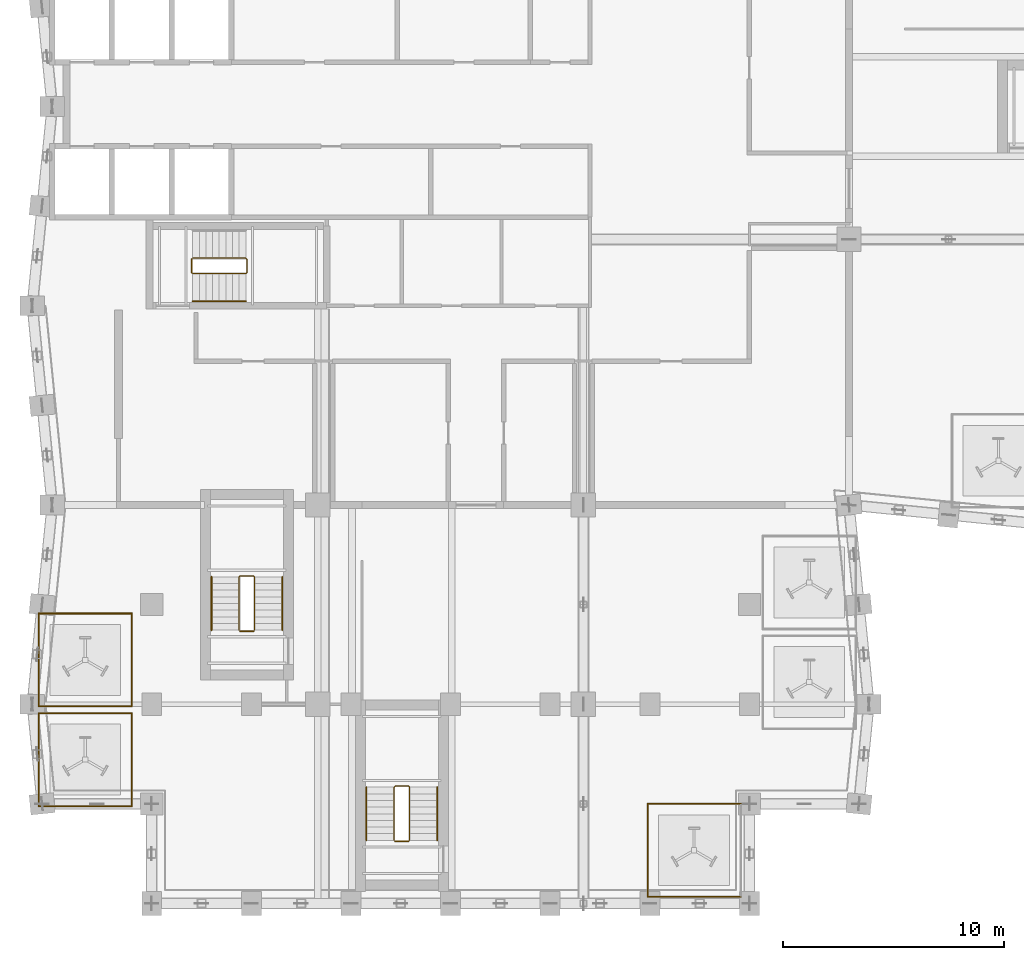
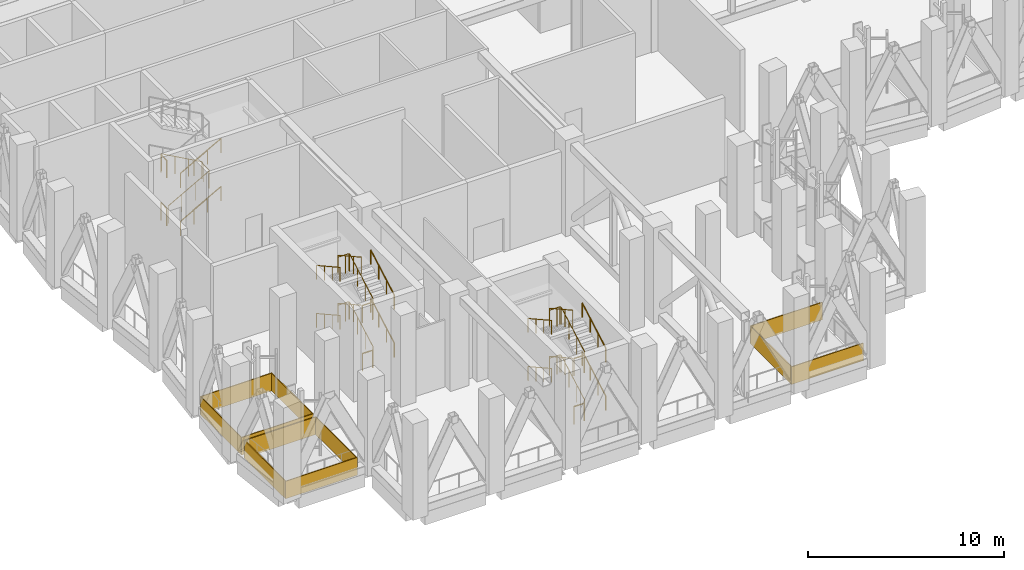
# One storey, part 23 of 28: 32 railings.
"""IFC4 building model written with IfcOpenShell, lengths in metres."""

from ifc_helpers import new_model, si_unit, direction, frame, origin, origin_2d, place, context, subcontext, project, spatial, rectangle, circle, extrude, material, type_object, element, save


model = new_model("IFC4")

# Units and contexts
model_context = context("Model", 3, precision=1e-05, world=origin(), true_north=direction((0.0, 1.0)))
body_context = subcontext(model_context, "Body", "Model", "MODEL_VIEW")
ifc_project = project(units=[si_unit("LENGTHUNIT", "METRE"), si_unit("AREAUNIT", "SQUARE_METRE"), si_unit("VOLUMEUNIT", "CUBIC_METRE"), si_unit("PLANEANGLEUNIT", "RADIAN"), si_unit("MASSUNIT", "GRAM", prefix="KILO")], contexts=[model_context])

# Site, building, storey
site_placement = place(None, origin())
site = spatial("IfcSite", under=ifc_project, at=site_placement, CompositionType="ELEMENT")
building_placement = place(site_placement, origin())
building = spatial("IfcBuilding", under=site, at=building_placement, Name="Brondeck Convention Tower", CompositionType="ELEMENT")
storey_placement = place(building_placement, frame((0.0, 0.0, 192.800048828125)))
storey = spatial("IfcBuildingStorey", under=building, at=storey_placement, Name="L47", CompositionType="ELEMENT", Elevation=192.800048828125)

# Railings
ifc_material_1 = material(Name="Steel S355", Category="steel")
railing_type_1 = type_object("IfcRailingType", Name="Stair guard 1100", PredefinedType="GUARDRAIL", material=ifc_material_1)
railing_1_placement = place(storey_placement, frame((6.35009765625, 37.449951171875, 0.16650390625)))
element("IfcRailing", 1, at=railing_1_placement, inside=storey, type_object=railing_type_1, Name="L47 ST-1 stair guard 1", PredefinedType="GUARDRAIL", context=body_context, shape_type="SweptSolid", body=[
    extrude(circle(Radius=0.02392578125, at=origin_2d()), frame((0.0, 0.0, 1.076171875), z_axis=(0.874123717778, 0.0, 0.485703331282), x_axis=(0.0, 1.0, 0.0)), (0.0, 0.0, 1.0), 2.74560546875),
    extrude(circle(Radius=0.02392578125, at=origin_2d()), frame((2.39990234375, 0.0, 2.40966796875), z_axis=(0.707106781187, 0.707106781187, 0.0), x_axis=(-0.707106781187, 0.707106781187, 0.0)), (0.0, 0.0, 1.0), 0.07080078125),
    extrude(circle(Radius=0.02392578125, at=origin_2d()), frame((2.449951171875, 0.050048828125, 2.40966796875), z_axis=(0.0, 1.0, 0.0), x_axis=(-1.0, 0.0, 0.0)), (0.0, 0.0, 1.0), 0.60009765625),
    extrude(circle(Radius=0.02392578125, at=origin_2d()), frame((2.449951171875, 0.650146484375, 2.40966796875), z_axis=(-0.276732813696, 0.275382897532, 0.920642824102), x_axis=(-0.705375805398, -0.708833529934, 0.0)), (0.0, 0.0, 1.0), 0.180908203125),
    extrude(circle(Radius=0.02392578125, at=origin_2d()), frame((2.39990234375, 0.699951171875, 2.576171875), z_axis=(-0.874123717778, 0.0, 0.485703331282), x_axis=(0.0, -1.0, 0.0)), (0.0, 0.0, 1.0), 2.74560546875),
    extrude(circle(Radius=0.02099609375, at=origin_2d()), origin(), (0.0, 0.0, 1.0), 1.052001953125),
    extrude(circle(Radius=0.02099609375, at=origin_2d()), frame((0.800048828125, 0.0, 0.444580078125)), (0.0, 0.0, 1.0), 1.052001953125),
    extrude(circle(Radius=0.02099609375, at=origin_2d()), frame((1.599853515625, 0.0, 0.888916015625)), (0.0, 0.0, 1.0), 1.052001953125),
    extrude(circle(Radius=0.02099609375, at=origin_2d()), frame((2.39990234375, 0.0, 1.33349609375)), (0.0, 0.0, 1.0), 1.052001953125),
    extrude(circle(Radius=0.02099609375, at=origin_2d()), frame((2.449951171875, 0.050048828125, 1.33349609375)), (0.0, 0.0, 1.0), 1.052001953125),
    extrude(circle(Radius=0.02099609375, at=origin_2d()), frame((2.449951171875, 0.650146484375, 1.33349609375)), (0.0, 0.0, 1.0), 1.052001953125),
    extrude(circle(Radius=0.02099609375, at=origin_2d()), frame((2.39990234375, 0.699951171875, 1.5)), (0.0, 0.0, 1.0), 1.052001953125),
    extrude(circle(Radius=0.02099609375, at=origin_2d()), frame((1.599853515625, 0.699951171875, 1.944580078125)), (0.0, 0.0, 1.0), 1.052001953125),
    extrude(circle(Radius=0.02099609375, at=origin_2d()), frame((0.800048828125, 0.699951171875, 2.388916015625)), (0.0, 0.0, 1.0), 1.052001953125),
    extrude(circle(Radius=0.02099609375, at=origin_2d()), frame((0.0, 0.699951171875, 2.83349609375)), (0.0, 0.0, 1.0), 1.052001953125),
])
for number, where, name in (
    (2, (6.300048828125, 37.5, 3.0), "L47 ST-1 stair guard 2"),
    (3, (6.300048828125, 37.5, 0.0), "L47 ST-1 stair guard 4"),
):
    element("IfcRailing", number, at=place(storey_placement, frame(where)), inside=storey, type_object=railing_type_1, Name=name, PredefinedType="GUARDRAIL", context=body_context, shape_type="SweptSolid", body=[
        extrude(circle(Radius=0.02392578125, at=origin_2d()), frame((0.0, 0.0, 1.076171875), z_axis=(0.0, 1.0, 0.0), x_axis=(-1.0, 0.0, 0.0)), (0.0, 0.0, 1.0), 0.60009765625),
        extrude(circle(Radius=0.02099609375, at=origin_2d()), origin(), (0.0, 0.0, 1.0), 1.052001953125),
        extrude(circle(Radius=0.02099609375, at=origin_2d()), frame((0.0, 0.60009765625, 0.0)), (0.0, 0.0, 1.0), 1.052001953125),
    ])
railing_2_placement = place(storey_placement, frame((9.14990234375, 21.35009765625, 0.16650390625)))
element("IfcRailing", 4, at=railing_2_placement, inside=storey, type_object=railing_type_1, Name="L47 ST-BE stair guard 1", PredefinedType="GUARDRAIL", context=body_context, shape_type="SweptSolid", body=[
    extrude(circle(Radius=0.02392578125, at=origin_2d()), frame((0.0, 0.0, 1.076171875), z_axis=(0.0, 0.874123717778, 0.485703331282), x_axis=(-1.0, 0.0, 0.0)), (0.0, 0.0, 1.0), 2.74560546875),
    extrude(circle(Radius=0.02392578125, at=origin_2d()), frame((0.0, 2.39990234375, 2.40966796875), z_axis=(-0.705375805398, 0.708833529934, 0.0), x_axis=(-0.708833529934, -0.705375805398, 0.0)), (0.0, 0.0, 1.0), 0.070556640625),
    extrude(circle(Radius=0.02392578125, at=origin_2d()), frame((-0.0498046875, 2.449951171875, 2.40966796875), z_axis=(-1.0, 0.0, 0.0), x_axis=(0.0, -1.0, 0.0)), (0.0, 0.0, 1.0), 0.60009765625),
    extrude(circle(Radius=0.02392578125, at=origin_2d()), frame((-0.64990234375, 2.449951171875, 2.40966796875), z_axis=(-0.27662974545, -0.27662974545, 0.920299933644), x_axis=(0.707106781187, -0.707106781187, 0.0)), (0.0, 0.0, 1.0), 0.180908203125),
    extrude(circle(Radius=0.02392578125, at=origin_2d()), frame((-0.699951171875, 2.39990234375, 2.576171875), z_axis=(0.0, -0.874123717778, 0.485703331282), x_axis=(1.0, 0.0, 0.0)), (0.0, 0.0, 1.0), 2.74560546875),
    extrude(circle(Radius=0.02099609375, at=origin_2d()), origin(), (0.0, 0.0, 1.0), 1.052001953125),
    extrude(circle(Radius=0.02099609375, at=origin_2d()), frame((0.0, 0.800048828125, 0.444580078125)), (0.0, 0.0, 1.0), 1.052001953125),
    extrude(circle(Radius=0.02099609375, at=origin_2d()), frame((0.0, 1.599853515625, 0.888916015625)), (0.0, 0.0, 1.0), 1.052001953125),
    extrude(circle(Radius=0.02099609375, at=origin_2d()), frame((0.0, 2.39990234375, 1.33349609375)), (0.0, 0.0, 1.0), 1.052001953125),
    extrude(circle(Radius=0.02099609375, at=origin_2d()), frame((-0.0498046875, 2.449951171875, 1.33349609375)), (0.0, 0.0, 1.0), 1.052001953125),
    extrude(circle(Radius=0.02099609375, at=origin_2d()), frame((-0.64990234375, 2.449951171875, 1.33349609375)), (0.0, 0.0, 1.0), 1.052001953125),
    extrude(circle(Radius=0.02099609375, at=origin_2d()), frame((-0.699951171875, 2.39990234375, 1.5)), (0.0, 0.0, 1.0), 1.052001953125),
    extrude(circle(Radius=0.02099609375, at=origin_2d()), frame((-0.699951171875, 1.599853515625, 1.944580078125)), (0.0, 0.0, 1.0), 1.052001953125),
    extrude(circle(Radius=0.02099609375, at=origin_2d()), frame((-0.699951171875, 0.800048828125, 2.388916015625)), (0.0, 0.0, 1.0), 1.052001953125),
    extrude(circle(Radius=0.02099609375, at=origin_2d()), frame((-0.699951171875, 0.0, 2.83349609375)), (0.0, 0.0, 1.0), 1.052001953125),
])
railing_3_placement = place(storey_placement, frame((9.10009765625, 21.300048828125, 3.0)))
element("IfcRailing", 5, at=railing_3_placement, inside=storey, type_object=railing_type_1, Name="L47 ST-BE stair guard 2", PredefinedType="GUARDRAIL", context=body_context, shape_type="SweptSolid", body=[
    extrude(circle(Radius=0.02392578125, at=origin_2d()), frame((0.0, 0.0, 1.076171875), z_axis=(-1.0, 0.0, 0.0), x_axis=(0.0, -1.0, 0.0)), (0.0, 0.0, 1.0), 0.60009765625),
    extrude(circle(Radius=0.02099609375, at=origin_2d()), origin(), (0.0, 0.0, 1.0), 1.052001953125),
    extrude(circle(Radius=0.02099609375, at=origin_2d()), frame((-0.60009765625, 0.0, 0.0)), (0.0, 0.0, 1.0), 1.052001953125),
])
railing_4_placement = place(storey_placement, frame((9.14990234375, 21.35009765625, 3.16650390625)))
element("IfcRailing", 6, at=railing_4_placement, inside=storey, type_object=railing_type_1, Name="L47 ST-BE stair guard 3", PredefinedType="GUARDRAIL", context=body_context, shape_type="SweptSolid", body=[
    extrude(circle(Radius=0.02392578125, at=origin_2d()), frame((0.0, 0.0, 1.076171875), z_axis=(0.0, 0.874123717778, 0.485703331282), x_axis=(-1.0, 0.0, 0.0)), (0.0, 0.0, 1.0), 2.74560546875),
    extrude(circle(Radius=0.02392578125, at=origin_2d()), frame((0.0, 2.39990234375, 2.40966796875), z_axis=(-0.705375805398, 0.708833529934, 0.0), x_axis=(-0.708833529934, -0.705375805398, 0.0)), (0.0, 0.0, 1.0), 0.070556640625),
    extrude(circle(Radius=0.02392578125, at=origin_2d()), frame((-0.0498046875, 2.449951171875, 2.40966796875), z_axis=(-1.0, 0.0, 0.0), x_axis=(0.0, -1.0, 0.0)), (0.0, 0.0, 1.0), 0.60009765625),
    extrude(circle(Radius=0.02392578125, at=origin_2d()), frame((-0.64990234375, 2.449951171875, 2.40966796875), z_axis=(-0.27662974545, -0.27662974545, 0.920299933644), x_axis=(0.707106781187, -0.707106781187, 0.0)), (0.0, 0.0, 1.0), 0.180908203125),
    extrude(circle(Radius=0.02392578125, at=origin_2d()), frame((-0.699951171875, 2.39990234375, 2.576171875), z_axis=(0.0, -0.874123717778, 0.485703331282), x_axis=(1.0, 0.0, 0.0)), (0.0, 0.0, 1.0), 2.74560546875),
    extrude(circle(Radius=0.02099609375, at=origin_2d()), origin(), (0.0, 0.0, 1.0), 1.052001953125),
    extrude(circle(Radius=0.02099609375, at=origin_2d()), frame((0.0, 0.800048828125, 0.444580078125)), (0.0, 0.0, 1.0), 1.052001953125),
    extrude(circle(Radius=0.02099609375, at=origin_2d()), frame((0.0, 1.599853515625, 0.888916015625)), (0.0, 0.0, 1.0), 1.052001953125),
    extrude(circle(Radius=0.02099609375, at=origin_2d()), frame((0.0, 2.39990234375, 1.33349609375)), (0.0, 0.0, 1.0), 1.052001953125),
    extrude(circle(Radius=0.02099609375, at=origin_2d()), frame((-0.0498046875, 2.449951171875, 1.33349609375)), (0.0, 0.0, 1.0), 1.052001953125),
    extrude(circle(Radius=0.02099609375, at=origin_2d()), frame((-0.64990234375, 2.449951171875, 1.33349609375)), (0.0, 0.0, 1.0), 1.052001953125),
    extrude(circle(Radius=0.02099609375, at=origin_2d()), frame((-0.699951171875, 2.39990234375, 1.5)), (0.0, 0.0, 1.0), 1.052001953125),
    extrude(circle(Radius=0.02099609375, at=origin_2d()), frame((-0.699951171875, 1.599853515625, 1.944580078125)), (0.0, 0.0, 1.0), 1.052001953125),
    extrude(circle(Radius=0.02099609375, at=origin_2d()), frame((-0.699951171875, 0.800048828125, 2.388916015625)), (0.0, 0.0, 1.0), 1.052001953125),
    extrude(circle(Radius=0.02099609375, at=origin_2d()), frame((-0.699951171875, 0.0, 2.83349609375)), (0.0, 0.0, 1.0), 1.052001953125),
])
railing_5_placement = place(storey_placement, frame((9.10009765625, 21.300048828125, 0.0)))
element("IfcRailing", 7, at=railing_5_placement, inside=storey, type_object=railing_type_1, Name="L47 ST-BE stair guard 4", PredefinedType="GUARDRAIL", context=body_context, shape_type="SweptSolid", body=[
    extrude(circle(Radius=0.02392578125, at=origin_2d()), frame((0.0, 0.0, 1.076171875), z_axis=(-1.0, 0.0, 0.0), x_axis=(0.0, -1.0, 0.0)), (0.0, 0.0, 1.0), 0.60009765625),
    extrude(circle(Radius=0.02099609375, at=origin_2d()), origin(), (0.0, 0.0, 1.0), 1.052001953125),
    extrude(circle(Radius=0.02099609375, at=origin_2d()), frame((-0.60009765625, 0.0, 0.0)), (0.0, 0.0, 1.0), 1.052001953125),
])
railing_6_placement = place(storey_placement, frame((16.14990234375, 11.85009765625, 0.16650390625)))
element("IfcRailing", 8, at=railing_6_placement, inside=storey, type_object=railing_type_1, Name="L47 ST-BF stair guard 1", PredefinedType="GUARDRAIL", context=body_context, shape_type="SweptSolid", body=[
    extrude(circle(Radius=0.02392578125, at=origin_2d()), frame((0.0, 0.0, 1.076171875), z_axis=(0.0, 0.874123717778, 0.485703331282), x_axis=(-1.0, 0.0, 0.0)), (0.0, 0.0, 1.0), 2.74560546875),
    extrude(circle(Radius=0.02392578125, at=origin_2d()), frame((0.0, 2.39990234375, 2.40966796875), z_axis=(-0.705375805398, 0.708833529934, 0.0), x_axis=(-0.708833529934, -0.705375805398, 0.0)), (0.0, 0.0, 1.0), 0.070556640625),
    extrude(circle(Radius=0.02392578125, at=origin_2d()), frame((-0.0498046875, 2.449951171875, 2.40966796875), z_axis=(-1.0, 0.0, 0.0), x_axis=(0.0, -1.0, 0.0)), (0.0, 0.0, 1.0), 0.60009765625),
    extrude(circle(Radius=0.02392578125, at=origin_2d()), frame((-0.64990234375, 2.449951171875, 2.40966796875), z_axis=(-0.27662974545, -0.27662974545, 0.920299933644), x_axis=(0.707106781187, -0.707106781187, 0.0)), (0.0, 0.0, 1.0), 0.180908203125),
    extrude(circle(Radius=0.02392578125, at=origin_2d()), frame((-0.699951171875, 2.39990234375, 2.576171875), z_axis=(0.0, -0.874123717778, 0.485703331282), x_axis=(1.0, 0.0, 0.0)), (0.0, 0.0, 1.0), 2.74560546875),
    extrude(circle(Radius=0.02099609375, at=origin_2d()), origin(), (0.0, 0.0, 1.0), 1.052001953125),
    extrude(circle(Radius=0.02099609375, at=origin_2d()), frame((0.0, 0.800048828125, 0.444580078125)), (0.0, 0.0, 1.0), 1.052001953125),
    extrude(circle(Radius=0.02099609375, at=origin_2d()), frame((0.0, 1.599853515625, 0.888916015625)), (0.0, 0.0, 1.0), 1.052001953125),
    extrude(circle(Radius=0.02099609375, at=origin_2d()), frame((0.0, 2.39990234375, 1.33349609375)), (0.0, 0.0, 1.0), 1.052001953125),
    extrude(circle(Radius=0.02099609375, at=origin_2d()), frame((-0.0498046875, 2.449951171875, 1.33349609375)), (0.0, 0.0, 1.0), 1.052001953125),
    extrude(circle(Radius=0.02099609375, at=origin_2d()), frame((-0.64990234375, 2.449951171875, 1.33349609375)), (0.0, 0.0, 1.0), 1.052001953125),
    extrude(circle(Radius=0.02099609375, at=origin_2d()), frame((-0.699951171875, 2.39990234375, 1.5)), (0.0, 0.0, 1.0), 1.052001953125),
    extrude(circle(Radius=0.02099609375, at=origin_2d()), frame((-0.699951171875, 1.599853515625, 1.944580078125)), (0.0, 0.0, 1.0), 1.052001953125),
    extrude(circle(Radius=0.02099609375, at=origin_2d()), frame((-0.699951171875, 0.800048828125, 2.388916015625)), (0.0, 0.0, 1.0), 1.052001953125),
    extrude(circle(Radius=0.02099609375, at=origin_2d()), frame((-0.699951171875, 0.0, 2.83349609375)), (0.0, 0.0, 1.0), 1.052001953125),
])
railing_7_placement = place(storey_placement, frame((16.10009765625, 11.800048828125, 3.0)))
element("IfcRailing", 9, at=railing_7_placement, inside=storey, type_object=railing_type_1, Name="L47 ST-BF stair guard 2", PredefinedType="GUARDRAIL", context=body_context, shape_type="SweptSolid", body=[
    extrude(circle(Radius=0.02392578125, at=origin_2d()), frame((0.0, 0.0, 1.076171875), z_axis=(-1.0, 0.0, 0.0), x_axis=(0.0, -1.0, 0.0)), (0.0, 0.0, 1.0), 0.60009765625),
    extrude(circle(Radius=0.02099609375, at=origin_2d()), origin(), (0.0, 0.0, 1.0), 1.052001953125),
    extrude(circle(Radius=0.02099609375, at=origin_2d()), frame((-0.60009765625, 0.0, 0.0)), (0.0, 0.0, 1.0), 1.052001953125),
])
railing_8_placement = place(storey_placement, frame((16.14990234375, 11.85009765625, 3.16650390625)))
element("IfcRailing", 10, at=railing_8_placement, inside=storey, type_object=railing_type_1, Name="L47 ST-BF stair guard 3", PredefinedType="GUARDRAIL", context=body_context, shape_type="SweptSolid", body=[
    extrude(circle(Radius=0.02392578125, at=origin_2d()), frame((0.0, 0.0, 1.076171875), z_axis=(0.0, 0.874123717778, 0.485703331282), x_axis=(-1.0, 0.0, 0.0)), (0.0, 0.0, 1.0), 2.74560546875),
    extrude(circle(Radius=0.02392578125, at=origin_2d()), frame((0.0, 2.39990234375, 2.40966796875), z_axis=(-0.705375805398, 0.708833529934, 0.0), x_axis=(-0.708833529934, -0.705375805398, 0.0)), (0.0, 0.0, 1.0), 0.070556640625),
    extrude(circle(Radius=0.02392578125, at=origin_2d()), frame((-0.0498046875, 2.449951171875, 2.40966796875), z_axis=(-1.0, 0.0, 0.0), x_axis=(0.0, -1.0, 0.0)), (0.0, 0.0, 1.0), 0.60009765625),
    extrude(circle(Radius=0.02392578125, at=origin_2d()), frame((-0.64990234375, 2.449951171875, 2.40966796875), z_axis=(-0.27662974545, -0.27662974545, 0.920299933644), x_axis=(0.707106781187, -0.707106781187, 0.0)), (0.0, 0.0, 1.0), 0.180908203125),
    extrude(circle(Radius=0.02392578125, at=origin_2d()), frame((-0.699951171875, 2.39990234375, 2.576171875), z_axis=(0.0, -0.874123717778, 0.485703331282), x_axis=(1.0, 0.0, 0.0)), (0.0, 0.0, 1.0), 2.74560546875),
    extrude(circle(Radius=0.02099609375, at=origin_2d()), origin(), (0.0, 0.0, 1.0), 1.052001953125),
    extrude(circle(Radius=0.02099609375, at=origin_2d()), frame((0.0, 0.800048828125, 0.444580078125)), (0.0, 0.0, 1.0), 1.052001953125),
    extrude(circle(Radius=0.02099609375, at=origin_2d()), frame((0.0, 1.599853515625, 0.888916015625)), (0.0, 0.0, 1.0), 1.052001953125),
    extrude(circle(Radius=0.02099609375, at=origin_2d()), frame((0.0, 2.39990234375, 1.33349609375)), (0.0, 0.0, 1.0), 1.052001953125),
    extrude(circle(Radius=0.02099609375, at=origin_2d()), frame((-0.0498046875, 2.449951171875, 1.33349609375)), (0.0, 0.0, 1.0), 1.052001953125),
    extrude(circle(Radius=0.02099609375, at=origin_2d()), frame((-0.64990234375, 2.449951171875, 1.33349609375)), (0.0, 0.0, 1.0), 1.052001953125),
    extrude(circle(Radius=0.02099609375, at=origin_2d()), frame((-0.699951171875, 2.39990234375, 1.5)), (0.0, 0.0, 1.0), 1.052001953125),
    extrude(circle(Radius=0.02099609375, at=origin_2d()), frame((-0.699951171875, 1.599853515625, 1.944580078125)), (0.0, 0.0, 1.0), 1.052001953125),
    extrude(circle(Radius=0.02099609375, at=origin_2d()), frame((-0.699951171875, 0.800048828125, 2.388916015625)), (0.0, 0.0, 1.0), 1.052001953125),
    extrude(circle(Radius=0.02099609375, at=origin_2d()), frame((-0.699951171875, 0.0, 2.83349609375)), (0.0, 0.0, 1.0), 1.052001953125),
])
railing_9_placement = place(storey_placement, frame((16.10009765625, 11.800048828125, 0.0)))
element("IfcRailing", 11, at=railing_9_placement, inside=storey, type_object=railing_type_1, Name="L47 ST-BF stair guard 4", PredefinedType="GUARDRAIL", context=body_context, shape_type="SweptSolid", body=[
    extrude(circle(Radius=0.02392578125, at=origin_2d()), frame((0.0, 0.0, 1.076171875), z_axis=(-1.0, 0.0, 0.0), x_axis=(0.0, -1.0, 0.0)), (0.0, 0.0, 1.0), 0.60009765625),
    extrude(circle(Radius=0.02099609375, at=origin_2d()), origin(), (0.0, 0.0, 1.0), 1.052001953125),
    extrude(circle(Radius=0.02099609375, at=origin_2d()), frame((-0.60009765625, 0.0, 0.0)), (0.0, 0.0, 1.0), 1.052001953125),
])
railing_type_2 = type_object("IfcRailingType", Name="Stair handrail", PredefinedType="HANDRAIL", material=ifc_material_1)
for number, where, name in (
    (12, (6.35009765625, 36.199951171875, 0.16650390625), "L47 ST-1 stair handrail 1"),
    (13, (6.35009765625, 36.199951171875, 3.16650390625), "L47 ST-1 stair handrail 3"),
):
    element("IfcRailing", number, at=place(storey_placement, frame(where)), inside=storey, type_object=railing_type_2, Name=name, PredefinedType="HANDRAIL", context=body_context, shape_type="SweptSolid", body=[
        extrude(circle(Radius=0.02392578125, at=origin_2d()), frame((0.0, 0.0, 0.8759765625), z_axis=(0.874123717778, 0.0, 0.485703331282), x_axis=(0.0, 1.0, 0.0)), (0.0, 0.0, 1.0), 2.74560546875),
        extrude(circle(Radius=0.02099609375, at=origin_2d()), origin(), (0.0, 0.0, 1.0), 0.851806640625),
        extrude(circle(Radius=0.02099609375, at=origin_2d()), frame((0.800048828125, 0.0, 0.444580078125)), (0.0, 0.0, 1.0), 0.851806640625),
        extrude(circle(Radius=0.02099609375, at=origin_2d()), frame((1.599853515625, 0.0, 0.888916015625)), (0.0, 0.0, 1.0), 0.851806640625),
        extrude(circle(Radius=0.02099609375, at=origin_2d()), frame((2.39990234375, 0.0, 1.33349609375)), (0.0, 0.0, 1.0), 0.851806640625),
    ])
railing_10_placement = place(storey_placement, frame((10.39990234375, 21.35009765625, 0.16650390625)))
element("IfcRailing", 14, at=railing_10_placement, inside=storey, type_object=railing_type_2, Name="L47 ST-BE stair handrail 1", PredefinedType="HANDRAIL", context=body_context, shape_type="SweptSolid", body=[
    extrude(circle(Radius=0.02392578125, at=origin_2d()), frame((0.0, 0.0, 0.8759765625), z_axis=(0.0, 0.874123717778, 0.485703331282), x_axis=(-1.0, 0.0, 0.0)), (0.0, 0.0, 1.0), 2.74560546875),
    extrude(circle(Radius=0.02099609375, at=origin_2d()), origin(), (0.0, 0.0, 1.0), 0.851806640625),
    extrude(circle(Radius=0.02099609375, at=origin_2d()), frame((0.0, 0.800048828125, 0.444580078125)), (0.0, 0.0, 1.0), 0.851806640625),
    extrude(circle(Radius=0.02099609375, at=origin_2d()), frame((0.0, 1.599853515625, 0.888916015625)), (0.0, 0.0, 1.0), 0.851806640625),
    extrude(circle(Radius=0.02099609375, at=origin_2d()), frame((0.0, 2.39990234375, 1.33349609375)), (0.0, 0.0, 1.0), 0.851806640625),
])
railing_11_placement = place(storey_placement, frame((7.199951171875, 23.75, 1.66650390625)))
element("IfcRailing", 15, at=railing_11_placement, inside=storey, type_object=railing_type_2, Name="L47 ST-BE stair handrail 2", PredefinedType="HANDRAIL", context=body_context, shape_type="SweptSolid", body=[
    extrude(circle(Radius=0.02392578125, at=origin_2d()), frame((0.0, 0.0, 0.8759765625), z_axis=(0.0, -0.874123717778, 0.485703331282), x_axis=(1.0, 0.0, 0.0)), (0.0, 0.0, 1.0), 2.74560546875),
    extrude(circle(Radius=0.02099609375, at=origin_2d()), origin(), (0.0, 0.0, 1.0), 0.851806640625),
    extrude(circle(Radius=0.02099609375, at=origin_2d()), frame((0.0, -0.800048828125, 0.444580078125)), (0.0, 0.0, 1.0), 0.851806640625),
    extrude(circle(Radius=0.02099609375, at=origin_2d()), frame((0.0, -1.599853515625, 0.888916015625)), (0.0, 0.0, 1.0), 0.851806640625),
    extrude(circle(Radius=0.02099609375, at=origin_2d()), frame((0.0, -2.39990234375, 1.33349609375)), (0.0, 0.0, 1.0), 0.851806640625),
])
railing_12_placement = place(storey_placement, frame((10.39990234375, 21.35009765625, 3.16650390625)))
element("IfcRailing", 16, at=railing_12_placement, inside=storey, type_object=railing_type_2, Name="L47 ST-BE stair handrail 3", PredefinedType="HANDRAIL", context=body_context, shape_type="SweptSolid", body=[
    extrude(circle(Radius=0.02392578125, at=origin_2d()), frame((0.0, 0.0, 0.8759765625), z_axis=(0.0, 0.874123717778, 0.485703331282), x_axis=(-1.0, 0.0, 0.0)), (0.0, 0.0, 1.0), 2.74560546875),
    extrude(circle(Radius=0.02099609375, at=origin_2d()), origin(), (0.0, 0.0, 1.0), 0.851806640625),
    extrude(circle(Radius=0.02099609375, at=origin_2d()), frame((0.0, 0.800048828125, 0.444580078125)), (0.0, 0.0, 1.0), 0.851806640625),
    extrude(circle(Radius=0.02099609375, at=origin_2d()), frame((0.0, 1.599853515625, 0.888916015625)), (0.0, 0.0, 1.0), 0.851806640625),
    extrude(circle(Radius=0.02099609375, at=origin_2d()), frame((0.0, 2.39990234375, 1.33349609375)), (0.0, 0.0, 1.0), 0.851806640625),
])
railing_13_placement = place(storey_placement, frame((7.199951171875, 23.75, 4.66650390625)))
element("IfcRailing", 17, at=railing_13_placement, inside=storey, type_object=railing_type_2, Name="L47 ST-BE stair handrail 4", PredefinedType="HANDRAIL", context=body_context, shape_type="SweptSolid", body=[
    extrude(circle(Radius=0.02392578125, at=origin_2d()), frame((0.0, 0.0, 0.8759765625), z_axis=(0.0, -0.874123717778, 0.485703331282), x_axis=(1.0, 0.0, 0.0)), (0.0, 0.0, 1.0), 2.74560546875),
    extrude(circle(Radius=0.02099609375, at=origin_2d()), origin(), (0.0, 0.0, 1.0), 0.851806640625),
    extrude(circle(Radius=0.02099609375, at=origin_2d()), frame((0.0, -0.800048828125, 0.444580078125)), (0.0, 0.0, 1.0), 0.851806640625),
    extrude(circle(Radius=0.02099609375, at=origin_2d()), frame((0.0, -1.599853515625, 0.888916015625)), (0.0, 0.0, 1.0), 0.851806640625),
    extrude(circle(Radius=0.02099609375, at=origin_2d()), frame((0.0, -2.39990234375, 1.33349609375)), (0.0, 0.0, 1.0), 0.851806640625),
])
railing_14_placement = place(storey_placement, frame((17.39990234375, 11.85009765625, 0.16650390625)))
element("IfcRailing", 18, at=railing_14_placement, inside=storey, type_object=railing_type_2, Name="L47 ST-BF stair handrail 1", PredefinedType="HANDRAIL", context=body_context, shape_type="SweptSolid", body=[
    extrude(circle(Radius=0.02392578125, at=origin_2d()), frame((0.0, 0.0, 0.8759765625), z_axis=(0.0, 0.874123717778, 0.485703331282), x_axis=(-1.0, 0.0, 0.0)), (0.0, 0.0, 1.0), 2.74560546875),
    extrude(circle(Radius=0.02099609375, at=origin_2d()), origin(), (0.0, 0.0, 1.0), 0.851806640625),
    extrude(circle(Radius=0.02099609375, at=origin_2d()), frame((0.0, 0.800048828125, 0.444580078125)), (0.0, 0.0, 1.0), 0.851806640625),
    extrude(circle(Radius=0.02099609375, at=origin_2d()), frame((0.0, 1.599853515625, 0.888916015625)), (0.0, 0.0, 1.0), 0.851806640625),
    extrude(circle(Radius=0.02099609375, at=origin_2d()), frame((0.0, 2.39990234375, 1.33349609375)), (0.0, 0.0, 1.0), 0.851806640625),
])
railing_15_placement = place(storey_placement, frame((14.199951171875, 14.25, 1.66650390625)))
element("IfcRailing", 19, at=railing_15_placement, inside=storey, type_object=railing_type_2, Name="L47 ST-BF stair handrail 2", PredefinedType="HANDRAIL", context=body_context, shape_type="SweptSolid", body=[
    extrude(circle(Radius=0.02392578125, at=origin_2d()), frame((0.0, 0.0, 0.8759765625), z_axis=(0.0, -0.874123717778, 0.485703331282), x_axis=(1.0, 0.0, 0.0)), (0.0, 0.0, 1.0), 2.74560546875),
    extrude(circle(Radius=0.02099609375, at=origin_2d()), origin(), (0.0, 0.0, 1.0), 0.851806640625),
    extrude(circle(Radius=0.02099609375, at=origin_2d()), frame((0.0, -0.800048828125, 0.444580078125)), (0.0, 0.0, 1.0), 0.851806640625),
    extrude(circle(Radius=0.02099609375, at=origin_2d()), frame((0.0, -1.599853515625, 0.888916015625)), (0.0, 0.0, 1.0), 0.851806640625),
    extrude(circle(Radius=0.02099609375, at=origin_2d()), frame((0.0, -2.39990234375, 1.33349609375)), (0.0, 0.0, 1.0), 0.851806640625),
])
railing_16_placement = place(storey_placement, frame((17.39990234375, 11.85009765625, 3.16650390625)))
element("IfcRailing", 20, at=railing_16_placement, inside=storey, type_object=railing_type_2, Name="L47 ST-BF stair handrail 3", PredefinedType="HANDRAIL", context=body_context, shape_type="SweptSolid", body=[
    extrude(circle(Radius=0.02392578125, at=origin_2d()), frame((0.0, 0.0, 0.8759765625), z_axis=(0.0, 0.874123717778, 0.485703331282), x_axis=(-1.0, 0.0, 0.0)), (0.0, 0.0, 1.0), 2.74560546875),
    extrude(circle(Radius=0.02099609375, at=origin_2d()), origin(), (0.0, 0.0, 1.0), 0.851806640625),
    extrude(circle(Radius=0.02099609375, at=origin_2d()), frame((0.0, 0.800048828125, 0.444580078125)), (0.0, 0.0, 1.0), 0.851806640625),
    extrude(circle(Radius=0.02099609375, at=origin_2d()), frame((0.0, 1.599853515625, 0.888916015625)), (0.0, 0.0, 1.0), 0.851806640625),
    extrude(circle(Radius=0.02099609375, at=origin_2d()), frame((0.0, 2.39990234375, 1.33349609375)), (0.0, 0.0, 1.0), 0.851806640625),
])
railing_17_placement = place(storey_placement, frame((14.199951171875, 14.25, 4.66650390625)))
element("IfcRailing", 21, at=railing_17_placement, inside=storey, type_object=railing_type_2, Name="L47 ST-BF stair handrail 4", PredefinedType="HANDRAIL", context=body_context, shape_type="SweptSolid", body=[
    extrude(circle(Radius=0.02392578125, at=origin_2d()), frame((0.0, 0.0, 0.8759765625), z_axis=(0.0, -0.874123717778, 0.485703331282), x_axis=(1.0, 0.0, 0.0)), (0.0, 0.0, 1.0), 2.74560546875),
    extrude(circle(Radius=0.02099609375, at=origin_2d()), origin(), (0.0, 0.0, 1.0), 0.851806640625),
    extrude(circle(Radius=0.02099609375, at=origin_2d()), frame((0.0, -0.800048828125, 0.444580078125)), (0.0, 0.0, 1.0), 0.851806640625),
    extrude(circle(Radius=0.02099609375, at=origin_2d()), frame((0.0, -1.599853515625, 0.888916015625)), (0.0, 0.0, 1.0), 0.851806640625),
    extrude(circle(Radius=0.02099609375, at=origin_2d()), frame((0.0, -2.39990234375, 1.33349609375)), (0.0, 0.0, 1.0), 0.851806640625),
])
ifc_material_2 = material(Name="Galvanised steel", Category="steel")
railing_type_3 = type_object("IfcRailingType", Name="Turbine guard 1100", PredefinedType="GUARDRAIL", material=ifc_material_2)
for number, where, z_axis, x_axis, name in (
    (22, (29.0, 13.5, 0.0), (0.0, 0.0, 1.0), (1.0, 0.0, 0.0), "Turbine guard"),
    (23, (29.0, 9.300048828125, 0.0), (0.0, 0.0, 1.0), (1.0, 0.0, 0.0), "Turbine guard"),
):
    element("IfcRailing", number, at=place(storey_placement, frame(where, z_axis=z_axis, x_axis=x_axis)), inside=storey, type_object=railing_type_3, Name=name, PredefinedType="GUARDRAIL", context=body_context, shape_type="SweptSolid", body=[
        extrude(rectangle(XDim=4.25, YDim=0.050048828125, at=origin_2d()), origin(), (0.0, 0.0, 1.0), 1.10009765625),
    ])
railing_18_placement = place(storey_placement, frame((26.89990234375, 11.39990234375, 0.0), z_axis=(0.0, 0.0, 1.0), x_axis=(1.0, 0.0, 0.0)))
element("IfcRailing", 24, at=railing_18_placement, inside=storey, type_object=railing_type_3, Name="Turbine guard", PredefinedType="GUARDRAIL", context=body_context, shape_type="SweptSolid", body=[
    extrude(rectangle(XDim=0.050048828125, YDim=4.14990234375, at=origin_2d()), origin(), (0.0, 0.0, 1.0), 1.10009765625),
])
for number, where, z_axis, x_axis, name in (
    (25, (1.5, 17.60009765625, 0.0), (0.0, 0.0, 1.0), (1.0, 0.0, 0.0), "Turbine guard"),
    (26, (1.5, 13.39990234375, 0.0), (0.0, 0.0, 1.0), (1.0, 0.0, 0.0), "Turbine guard"),
):
    element("IfcRailing", number, at=place(storey_placement, frame(where, z_axis=z_axis, x_axis=x_axis)), inside=storey, type_object=railing_type_3, Name=name, PredefinedType="GUARDRAIL", context=body_context, shape_type="SweptSolid", body=[
        extrude(rectangle(XDim=4.25, YDim=0.050048828125, at=origin_2d()), origin(), (0.0, 0.0, 1.0), 1.10009765625),
    ])
for number, where, z_axis, x_axis, name in (
    (27, (3.60009765625, 15.5, 0.0), (0.0, 0.0, 1.0), (1.0, 0.0, 0.0), "Turbine guard"),
    (28, (-0.60009765625, 15.5, 0.0), (0.0, 0.0, 1.0), (1.0, 0.0, 0.0), "Turbine guard"),
):
    element("IfcRailing", number, at=place(storey_placement, frame(where, z_axis=z_axis, x_axis=x_axis)), inside=storey, type_object=railing_type_3, Name=name, PredefinedType="GUARDRAIL", context=body_context, shape_type="SweptSolid", body=[
        extrude(rectangle(XDim=0.050048828125, YDim=4.14990234375, at=origin_2d()), origin(), (0.0, 0.0, 1.0), 1.10009765625),
    ])
for number, where, z_axis, x_axis, name in (
    (29, (1.5, 22.10009765625, 0.0), (0.0, 0.0, 1.0), (1.0, 0.0, 0.0), "Turbine guard"),
    (30, (1.5, 17.89990234375, 0.0), (0.0, 0.0, 1.0), (1.0, 0.0, 0.0), "Turbine guard"),
):
    element("IfcRailing", number, at=place(storey_placement, frame(where, z_axis=z_axis, x_axis=x_axis)), inside=storey, type_object=railing_type_3, Name=name, PredefinedType="GUARDRAIL", context=body_context, shape_type="SweptSolid", body=[
        extrude(rectangle(XDim=4.25, YDim=0.050048828125, at=origin_2d()), origin(), (0.0, 0.0, 1.0), 1.10009765625),
    ])
for number, where, z_axis, x_axis, name in (
    (31, (3.60009765625, 20.0, 0.0), (0.0, 0.0, 1.0), (1.0, 0.0, 0.0), "Turbine guard"),
    (32, (-0.60009765625, 20.0, 0.0), (0.0, 0.0, 1.0), (1.0, 0.0, 0.0), "Turbine guard"),
):
    element("IfcRailing", number, at=place(storey_placement, frame(where, z_axis=z_axis, x_axis=x_axis)), inside=storey, type_object=railing_type_3, Name=name, PredefinedType="GUARDRAIL", context=body_context, shape_type="SweptSolid", body=[
        extrude(rectangle(XDim=0.050048828125, YDim=4.14990234375, at=origin_2d()), origin(), (0.0, 0.0, 1.0), 1.10009765625),
    ])

save(model, "model.ifc")
